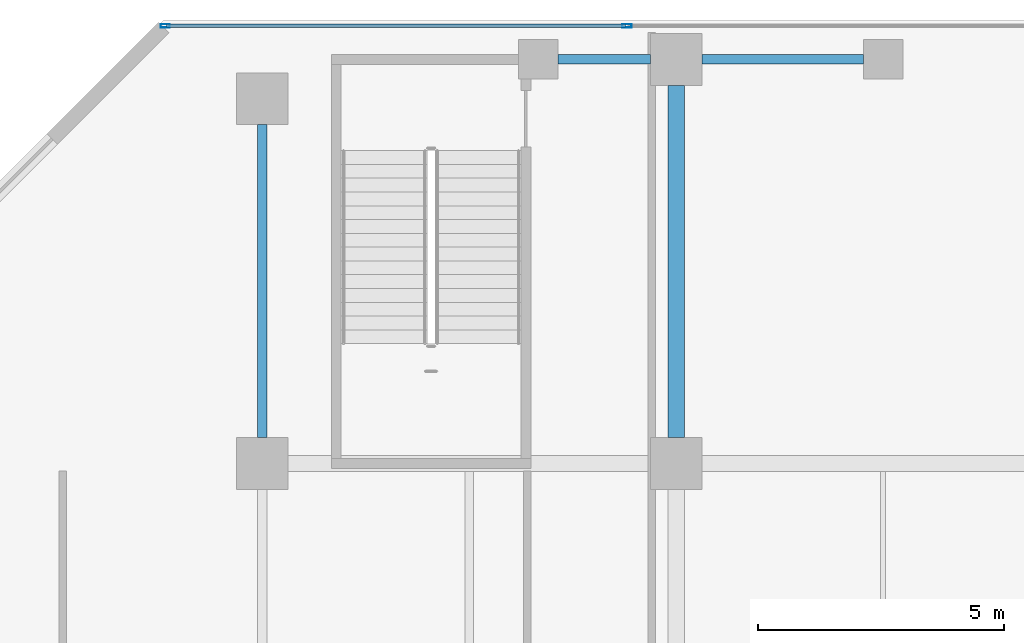
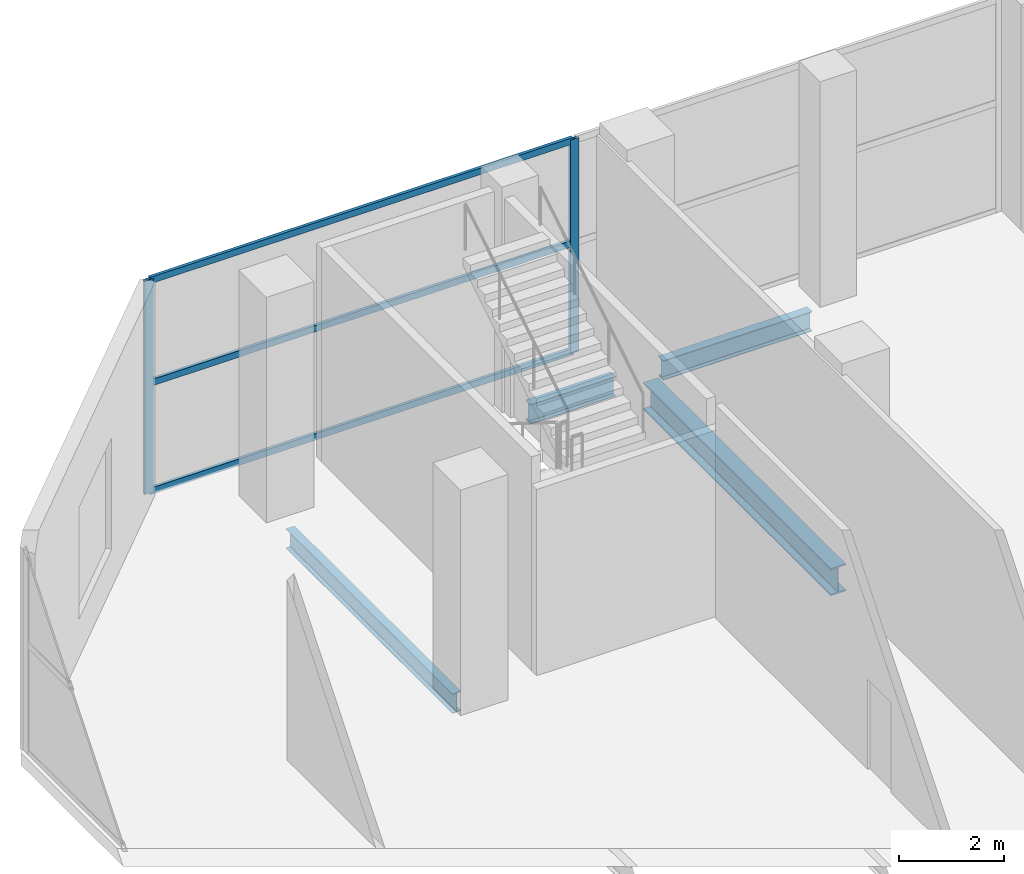
# One storey, part 20 of 40: 5 members, 4 beams, 1 element without a shape of its own.
"""IFC4 building model written with IfcOpenShell, lengths in metres."""

from ifc_helpers import new_model, si_unit, direction, frame, origin, origin_2d, place, context, subcontext, project, spatial, hollow_rectangle, i_section, extrude, material, layer, layer_set, material_profile, profile_set, type_object, element, aggregate, save


model = new_model("IFC4")

# Units and contexts
model_context = context("Model", 3, precision=1e-05, world=origin(), true_north=direction((0.0, 1.0)))
body_context = subcontext(model_context, "Body", "Model", "MODEL_VIEW")
ifc_project = project(units=[si_unit("LENGTHUNIT", "METRE"), si_unit("AREAUNIT", "SQUARE_METRE"), si_unit("VOLUMEUNIT", "CUBIC_METRE"), si_unit("PLANEANGLEUNIT", "RADIAN"), si_unit("MASSUNIT", "GRAM", prefix="KILO")], contexts=[model_context])

# Site, building, storey
site_placement = place(None, origin())
site = spatial("IfcSite", under=ifc_project, at=site_placement, CompositionType="ELEMENT")
building_placement = place(site_placement, origin())
building = spatial("IfcBuilding", under=site, at=building_placement, Name="Maruvema Waterfront Hotel and Observation Tower", CompositionType="ELEMENT")
storey_placement = place(building_placement, frame((0.0, 0.0, 5.60009765625)))
storey = spatial("IfcBuildingStorey", under=building, at=storey_placement, Name="L01", CompositionType="ELEMENT", Elevation=5.60009765625)

# Curtain wall, members
ifc_material_1 = material(Name="Anodised bronze aluminium and solar-control low-E IGU", Category="aluminium")
ifc_layer = layer(ifc_material_1, 0.159912109375, Name="Podium Waterfront Storefront Curtain Wall System CW-01")
ifc_layer_set = layer_set([ifc_layer], Name="Anodised bronze aluminium and solar-control low-E IGU")
curtain_wall_type = type_object("IfcCurtainWallType", Name="Podium Waterfront Storefront Curtain Wall System CW-01", PredefinedType="USERDEFINED", material=ifc_layer_set)
curtain_wall_placement = place(storey_placement, origin())
curtain_wall = element("IfcCurtainWall", 1, at=curtain_wall_placement, inside=storey, type_object=curtain_wall_type, Name="L01 Curtain Wall CW-L01-NW", ObjectType="UNITISED CURTAIN WALL", PredefinedType="USERDEFINED")
ifc_material_2 = material(Name="Anodised architectural bronze aluminium", Category="aluminium")
ifc_material_profile_1 = material_profile(ifc_material_2, hollow_rectangle(XDim=0.070068359375, YDim=0.14990234375, WallThickness=0.00390625, at=origin_2d()), Name="ALU-T70x150")
ifc_profile_set_1 = profile_set([ifc_material_profile_1], Name="Anodised architectural bronze aluminium")
member_type_1 = type_object("IfcMemberType", Name="Curtain Wall Horizontal Transom ALU-T70x150", PredefinedType="USERDEFINED", material=ifc_profile_set_1)
member_1_placement = place(storey_placement, frame((15.77001953125, 53.8798828125, 0.02978515625), z_axis=(-1.0, 0.0, 0.0), x_axis=(0.0, -1.0, 0.0)))
member_1 = element("IfcMember", 2, at=member_1_placement, type_object=member_type_1, Name="CW-01 transom 2.1", ObjectType="TRANSOM", PredefinedType="USERDEFINED", context=body_context, shape_type="SweptSolid", body=[
    extrude(hollow_rectangle(XDim=0.070068359375, YDim=0.14990234375, WallThickness=0.00390625, at=origin_2d()), origin(), (0.0, 0.0, 1.0), 9.31005859375),
])
member_2_placement = place(storey_placement, frame((15.77001953125, 53.8798828125, 2.5498046875), z_axis=(-1.0, 0.0, 0.0), x_axis=(0.0, -1.0, 0.0)))
member_2 = element("IfcMember", 3, at=member_2_placement, type_object=member_type_1, Name="CW-01 transom 2.2", ObjectType="TRANSOM", PredefinedType="USERDEFINED", context=body_context, shape_type="SweptSolid", body=[
    extrude(hollow_rectangle(XDim=0.070068359375, YDim=0.14990234375, WallThickness=0.00390625, at=origin_2d()), origin(), (0.0, 0.0, 1.0), 9.31005859375),
])
member_3_placement = place(storey_placement, frame((15.77001953125, 53.8798828125, 4.93994140625), z_axis=(-1.0, 0.0, 0.0), x_axis=(0.0, -1.0, 0.0)))
member_3 = element("IfcMember", 4, at=member_3_placement, type_object=member_type_1, Name="CW-01 transom 2.3", ObjectType="TRANSOM", PredefinedType="USERDEFINED", context=body_context, shape_type="SweptSolid", body=[
    extrude(hollow_rectangle(XDim=0.070068359375, YDim=0.14990234375, WallThickness=0.00390625, at=origin_2d()), origin(), (0.0, 0.0, 1.0), 9.31005859375),
])

# Beams
ifc_material_3 = material(Name="Steel ASTM A572 Grade 50", Category="steel")
ifc_material_profile_2 = material_profile(ifc_material_3, i_section(OverallWidth=0.18994140625, OverallDepth=0.45703125, WebThickness=0.009033203125, FlangeThickness=0.014404296875, FilletRadius=0.014892578125, at=origin_2d()), Name="W460x74.0")
ifc_profile_set_2 = profile_set([ifc_material_profile_2], Name="Steel ASTM A572 Grade 50")
beam_type_1 = type_object("IfcBeamType", Name="Perimeter Spandrel Beam W460x74.0", PredefinedType="SPANDREL", material=ifc_profile_set_2)
beam_1_placement = place(storey_placement, frame((14.39990234375, 53.199951171875, -0.508544921875), z_axis=(1.0, 0.0, 0.0), x_axis=(0.0, 1.0, 0.0)))
element("IfcBeam", 5, at=beam_1_placement, inside=storey, type_object=beam_type_1, Name="L01 Floor Girder EW-36", PredefinedType="SPANDREL", context=body_context, shape_type="SweptSolid", body=[
    extrude(i_section(OverallWidth=0.18994140625, OverallDepth=0.45703125, WebThickness=0.009033203125, FlangeThickness=0.014404296875, FilletRadius=0.014892578125, at=origin_2d()), origin(), (0.0, 0.0, 1.0), 1.875),
])
beam_2_placement = place(storey_placement, frame((17.324951171875, 53.199951171875, -0.508544921875), z_axis=(1.0, 0.0, 0.0), x_axis=(0.0, 1.0, 0.0)))
element("IfcBeam", 6, at=beam_2_placement, inside=storey, type_object=beam_type_1, Name="L01 Floor Girder EW-37", PredefinedType="SPANDREL", context=body_context, shape_type="SweptSolid", body=[
    extrude(i_section(OverallWidth=0.18994140625, OverallDepth=0.45703125, WebThickness=0.009033203125, FlangeThickness=0.014404296875, FilletRadius=0.014892578125, at=origin_2d()), origin(), (0.0, 0.0, 1.0), 3.275146484375),
])
beam_3_placement = place(storey_placement, frame((8.39990234375, 45.52490234375, -0.508544921875), z_axis=(0.0, 1.0, 0.0), x_axis=(-1.0, 0.0, 0.0)))
element("IfcBeam", 7, at=beam_3_placement, inside=storey, type_object=beam_type_1, Name="L01 Floor Girder NS-06", PredefinedType="SPANDREL", context=body_context, shape_type="SweptSolid", body=[
    extrude(i_section(OverallWidth=0.18994140625, OverallDepth=0.45703125, WebThickness=0.009033203125, FlangeThickness=0.014404296875, FilletRadius=0.014892578125, at=origin_2d()), origin(), (0.0, 0.0, 1.0), 6.35009765625),
])

# Member
ifc_material_4 = material(Name="Anodised architectural bronze aluminium", Category="aluminium")
ifc_material_profile_3 = material_profile(ifc_material_4, hollow_rectangle(XDim=0.070068359375, YDim=0.18994140625, WallThickness=0.00390625, at=origin_2d()), Name="ALU-M70x190")
ifc_profile_set_3 = profile_set([ifc_material_profile_3], Name="Anodised architectural bronze aluminium")
member_type_2 = type_object("IfcMemberType", Name="Podium Storefront Heavy Mullion ALU-M70x190", PredefinedType="MULLION", material=ifc_profile_set_3)
member_4_placement = place(storey_placement, frame((15.800048828125, 53.8798828125, 0.0), z_axis=(0.0, 0.0, 1.0), x_axis=(0.0, -1.0, 0.0)))
member_4 = element("IfcMember", 8, at=member_4_placement, type_object=member_type_2, Name="CW-01 mullion 2", PredefinedType="MULLION", context=body_context, shape_type="SweptSolid", body=[
    extrude(hollow_rectangle(XDim=0.070068359375, YDim=0.18994140625, WallThickness=0.00390625, at=origin_2d()), origin(), (0.0, 0.0, 1.0), 4.969970703125),
])

member_5_placement = place(storey_placement, frame((6.429931640625, 53.8798828125, 0.0), z_axis=(0.0, 0.0, 1.0), x_axis=(0.0, -1.0, 0.0)))
member_5 = element("IfcMember", 9, at=member_5_placement, type_object=member_type_2, Name="CW-01 mullion 3", PredefinedType="MULLION", context=body_context, shape_type="SweptSolid", body=[
    extrude(hollow_rectangle(XDim=0.070068359375, YDim=0.18994140625, WallThickness=0.00390625, at=origin_2d()), origin(), (0.0, 0.0, 1.0), 4.969970703125),
])

aggregate(curtain_wall, [member_4, member_5, member_1, member_2, member_3])

# Beam
ifc_material_5 = material(Name="Steel ASTM A572 Grade 50", Category="steel")
ifc_material_profile_4 = material_profile(ifc_material_5, i_section(OverallWidth=0.3291015625, OverallDepth=0.635009765625, WebThickness=0.017822265625, FlangeThickness=0.031005859375, FilletRadius=0.01806640625, at=origin_2d()), Name="W610x241.0")
ifc_profile_set_4 = profile_set([ifc_material_profile_4], Name="Steel ASTM A572 Grade 50")
beam_type_2 = type_object("IfcBeamType", Name="Primary Floor Girder W610x241.0", PredefinedType="BEAM", material=ifc_profile_set_4)
beam_4_placement = place(storey_placement, frame((16.800048828125, 45.52490234375, -0.59765625), z_axis=(0.0, 1.0, 0.0), x_axis=(-1.0, 0.0, 0.0)))
element("IfcBeam", 10, at=beam_4_placement, inside=storey, type_object=beam_type_2, Name="L01 Floor Girder NS-12", PredefinedType="BEAM", context=body_context, shape_type="SweptSolid", body=[
    extrude(i_section(OverallWidth=0.3291015625, OverallDepth=0.635009765625, WebThickness=0.017822265625, FlangeThickness=0.031005859375, FilletRadius=0.01806640625, at=origin_2d()), origin(), (0.0, 0.0, 1.0), 7.150146484375),
])

save(model, "model.ifc")
